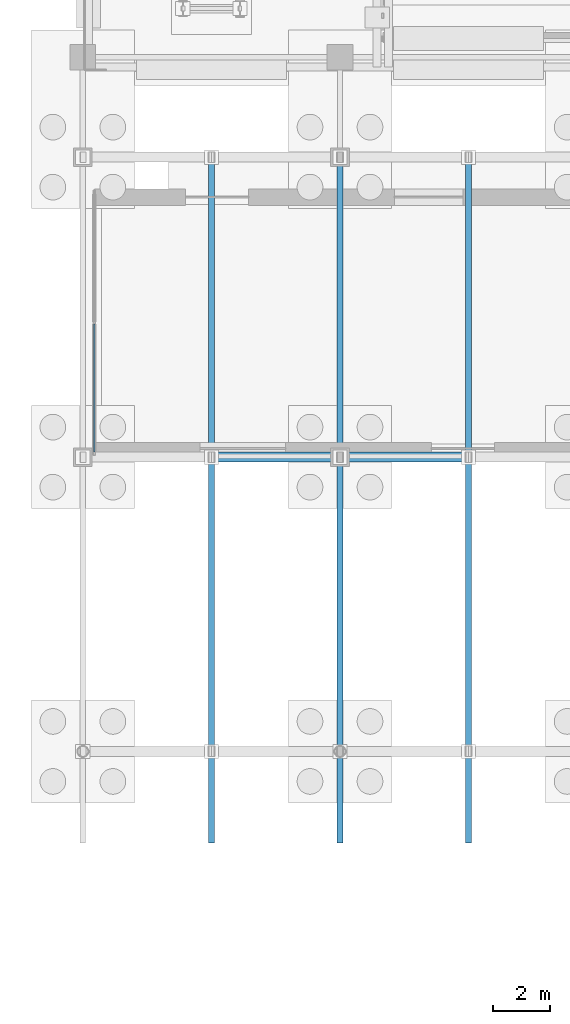
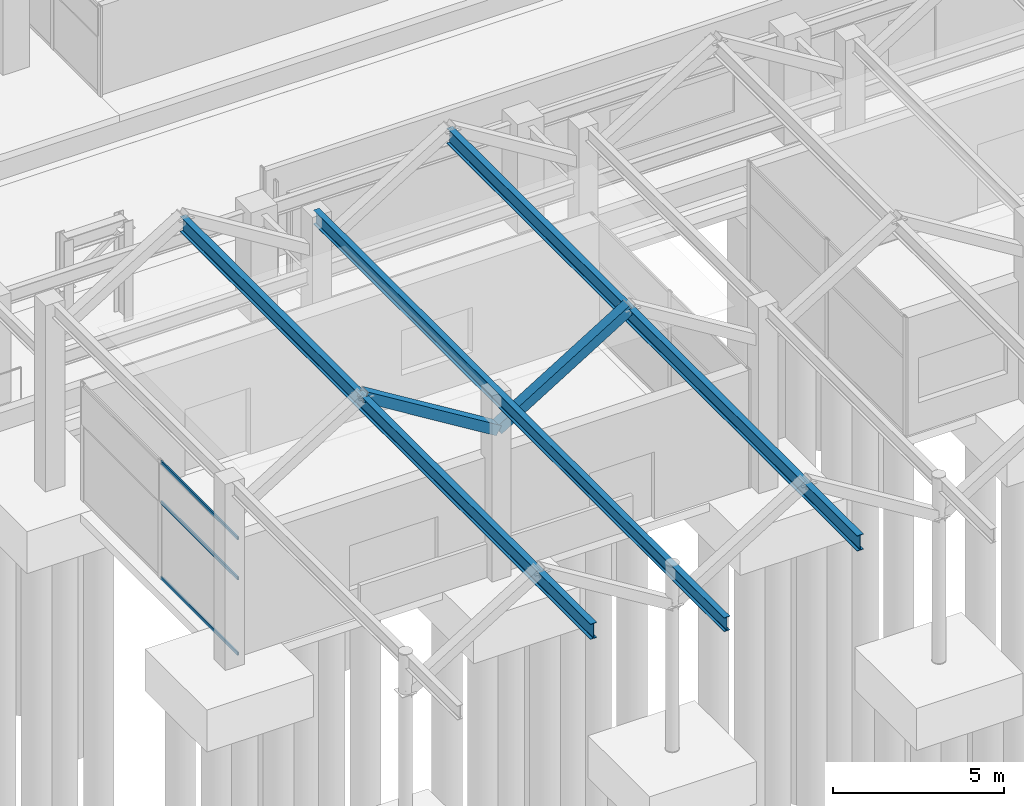
# One storey, part 41 of 160: 5 members, 3 beams, 1 element without a shape of its own.
"""IFC4 building model written with IfcOpenShell, lengths in metres."""

import ifcopenshell
import ifcopenshell.guid

model = None  # the IFC model being written
_history = None  # IfcOwnerHistory: only IFC2X3 demands one
_inside = {}  # id of a spatial element -> (the spatial element, [elements in it])
_under = {}  # id of a project, library or spatial element -> (it, [spatial elements below it])
_declared = {}  # id of a project -> (the project, [libraries it declares])
_typed = {}  # id of a type object -> (the type object, [elements of that type])
_made_of = {}  # id of a material, layer set ... -> (it, [elements and type objects made of it])


def new_model(schema):
    """Start an empty IFC model of exactly this schema.

    Asked for "IFC4X3", IfcOpenShell would pick the latest addendum, in which some entities
    have other attributes; the version numbers below select the first issue.
    IFC2X3 requires an IfcOwnerHistory on every rooted entity: one is made here for all.
    """
    global model, _history
    if schema == "IFC4X3":
        model = ifcopenshell.file(schema_version=(4, 3, 0, 0))
    else:
        model = ifcopenshell.file(schema=schema)
    _inside.clear()
    _under.clear()
    _declared.clear()
    _typed.clear()
    _made_of.clear()
    _history = None
    if model.schema == "IFC2X3":
        org = make("IfcOrganization", Name="unknown")
        user = make(
            "IfcPersonAndOrganization",
            ThePerson=make("IfcPerson", FamilyName="unknown"),
            TheOrganization=org,
        )
        app = make(
            "IfcApplication",
            ApplicationDeveloper=org,
            Version="unknown",
            ApplicationFullName="unknown",
            ApplicationIdentifier="unknown",
        )
        _history = make(
            "IfcOwnerHistory",
            OwningUser=user,
            OwningApplication=app,
            ChangeAction="ADDED",
            CreationDate=0,
        )
    return model


def make(cls, **values):
    """One entity of the class cls with the attributes given. An attribute that is None is left unset."""
    return model.create_entity(
        cls, **{name: value for name, value in values.items() if value is not None}
    )


def rooted(cls, **values):
    """An entity with a GlobalId (a new one), such as an element, a storey or a relation."""
    return make(cls, GlobalId=ifcopenshell.guid.new(), OwnerHistory=_history, **values)


def si_unit(unit_type, name, prefix=None):
    """IfcSIUnit, for example si_unit("LENGTHUNIT", "METRE", prefix="MILLI")."""
    return make("IfcSIUnit", UnitType=unit_type, Prefix=prefix, Name=name)


def assignment(units):
    """IfcUnitAssignment: the units of a project."""
    return None if units is None else make("IfcUnitAssignment", Units=units)


def point(xyz):
    """IfcCartesianPoint."""
    return None if xyz is None else make("IfcCartesianPoint", Coordinates=xyz)


def direction(xyz):
    """IfcDirection."""
    return None if xyz is None else make("IfcDirection", DirectionRatios=xyz)


def frame(location, z_axis=None, x_axis=None):
    """IfcAxis2Placement3D, a coordinate frame: its origin and axes. An axis left out is left unset."""
    return make(
        "IfcAxis2Placement3D",
        Location=point(location),
        Axis=direction(z_axis),
        RefDirection=direction(x_axis),
    )


def frame_2d(location, x_axis=None):
    """IfcAxis2Placement2D, a coordinate frame in the plane: its origin and x axis."""
    return make(
        "IfcAxis2Placement2D", Location=point(location), RefDirection=direction(x_axis)
    )


def origin():
    """The frame at (0, 0, 0) with its axes left unset."""
    return frame((0.0, 0.0, 0.0))


def origin_2d():
    """The frame at (0, 0) in the plane with its x axis left unset."""
    return frame_2d((0.0, 0.0))


def place(relative_to, where):
    """IfcLocalPlacement: puts the frame where relative to a parent placement (None: the world)."""
    return make(
        "IfcLocalPlacement", PlacementRelTo=relative_to, RelativePlacement=where
    )


def context(
    kind, dimensions, precision=None, world=None, true_north=None, identifier=None
):
    """IfcGeometricRepresentationContext, for example the 3D "Model" context."""
    return make(
        "IfcGeometricRepresentationContext",
        ContextIdentifier=identifier,
        ContextType=kind,
        CoordinateSpaceDimension=dimensions,
        Precision=precision,
        WorldCoordinateSystem=world,
        TrueNorth=true_north,
    )


def subcontext(parent, identifier, kind, view, scale=None):
    """IfcGeometricRepresentationSubContext, for example "Body" below "Model"."""
    return make(
        "IfcGeometricRepresentationSubContext",
        ContextIdentifier=identifier,
        ContextType=kind,
        ParentContext=parent,
        TargetScale=scale,
        TargetView=view,
    )


def project(units=None, contexts=None):
    """IfcProject with its units and contexts."""
    return rooted(
        "IfcProject",
        Name="project",
        RepresentationContexts=contexts,
        UnitsInContext=assignment(units),
    )


def spatial(cls, under=None, at=None, **own):
    """A site, building, storey or space (cls), placed at a placement, below another one or the project."""
    s = rooted(cls, ObjectPlacement=at, **own)
    if under is not None:
        _under.setdefault(under.id(), (under, []))[1].append(s)
    return s


def profile(cls, at=None, kind="AREA", **sizes):
    """A parametric profile (cls). Its sizes go by their IFC names, for example OverallWidth=200.0."""
    return make(cls, ProfileType=kind, Position=at, **sizes)


def hollow_rectangle(**sizes):
    """IfcRectangleHollowProfileDef."""
    return profile("IfcRectangleHollowProfileDef", **sizes)


def i_section(**sizes):
    """IfcIShapeProfileDef."""
    return profile("IfcIShapeProfileDef", **sizes)


def extrude(swept, where, along, depth):
    """IfcExtrudedAreaSolid: the profile swept, set in the frame where, extruded along a direction by depth."""
    return make(
        "IfcExtrudedAreaSolid",
        SweptArea=swept,
        Position=where,
        ExtrudedDirection=direction(along),
        Depth=depth,
    )


def shape(context_of_items, identifier, shape_type, items):
    """IfcShapeRepresentation: the items that make up one representation, for example the "Body"."""
    return make(
        "IfcShapeRepresentation",
        ContextOfItems=context_of_items,
        RepresentationIdentifier=identifier,
        RepresentationType=shape_type,
        Items=items,
    )


def material(Name=None, Category=None):
    """IfcMaterial."""
    return make("IfcMaterial", Name=Name, Category=Category)


def layer(
    of_material, thickness, ventilated=None, Name=None, Category=None, Priority=None
):
    """IfcMaterialLayer: one layer of a wall or slab, of a material (None: an air gap)."""
    return make(
        "IfcMaterialLayer",
        Material=of_material,
        LayerThickness=thickness,
        IsVentilated=ventilated,
        Name=Name,
        Category=Category,
        Priority=Priority,
    )


def layer_set(layers, Name=None):
    """IfcMaterialLayerSet."""
    return make("IfcMaterialLayerSet", MaterialLayers=layers, LayerSetName=Name)


def material_profile(
    of_material, cross_section, Name=None, Category=None, Priority=None
):
    """IfcMaterialProfile: a cross section and its material."""
    return make(
        "IfcMaterialProfile",
        Name=Name,
        Material=of_material,
        Profile=cross_section,
        Priority=Priority,
        Category=Category,
    )


def profile_set(profiles, Name=None, composite=None):
    """IfcMaterialProfileSet."""
    return make(
        "IfcMaterialProfileSet",
        Name=Name,
        MaterialProfiles=profiles,
        CompositeProfile=composite,
    )


def made_of(thing, what):
    """Note that an element or type object is made of a material, layer set ...; save() writes the relation."""
    if what is not None:
        _made_of.setdefault(what.id(), (what, []))[1].append(thing)
    return thing


def type_object(cls, material=None, **own):
    """A type object (cls), such as IfcWallType, which elements share."""
    return made_of(rooted(cls, **own), material)


def element(
    cls,
    number,
    at=None,
    inside=None,
    cuts=None,
    type_object=None,
    material=None,
    context=None,
    identifier="Body",
    shape_type=None,
    held_by="IfcProductDefinitionShape",
    body=None,
    shapes=None,
    **own,
):
    """One element of the class cls, such as IfcWall. Its Tag is "e" and its number.

    at: its placement. inside: the storey or other place that contains it. cuts: it is an
    opening in that element (IfcRelVoidsElement). A single representation is given by context,
    identifier, shape_type and body (its items); several are given by shapes. held_by: the class
    of the entity that holds the representations. save() writes the other relations.
    """
    e = rooted(cls, Tag="e%d" % number, ObjectPlacement=at, **own)
    if body is not None:
        shapes = [shape(context, identifier, shape_type, body)]
    if shapes is not None:
        e.Representation = make(held_by, Representations=shapes)
    if inside is not None:
        _inside.setdefault(inside.id(), (inside, []))[1].append(e)
    if cuts is not None:
        rooted(
            "IfcRelVoidsElement", RelatingBuildingElement=cuts, RelatedOpeningElement=e
        )
    if type_object is not None:
        _typed.setdefault(type_object.id(), (type_object, []))[1].append(e)
    return made_of(e, material)


def aggregate(whole, parts):
    """IfcRelAggregates: a whole, such as a stair, and the parts it consists of."""
    return rooted("IfcRelAggregates", RelatingObject=whole, RelatedObjects=parts)


def save(model, path):
    """Write the relations noted so far, then the file.

    IfcRelAggregates (storeys below a building ...), IfcRelContainedInSpatialStructure (elements
    in a storey), IfcRelDefinesByType, IfcRelAssociatesMaterial and IfcRelDeclares: one each for
    every whole, place, type object, material and project.
    """
    for whole, parts in _under.values():
        aggregate(whole, parts)
    for where, things in _inside.values():
        rooted(
            "IfcRelContainedInSpatialStructure",
            RelatedElements=things,
            RelatingStructure=where,
        )
    for kind, things in _typed.values():
        rooted("IfcRelDefinesByType", RelatedObjects=things, RelatingType=kind)
    for what, things in _made_of.values():
        rooted("IfcRelAssociatesMaterial", RelatedObjects=things, RelatingMaterial=what)
    for by, libraries in _declared.values():
        rooted("IfcRelDeclares", RelatingContext=by, RelatedDefinitions=libraries)
    model.write(path)


model = new_model("IFC4")

# Units and contexts
model_context = context("Model", 3, precision=1e-05, world=origin(), true_north=direction((0.0, 1.0)))
body_context = subcontext(model_context, "Body", "Model", "MODEL_VIEW")
ifc_project = project(units=[si_unit("LENGTHUNIT", "METRE"), si_unit("AREAUNIT", "SQUARE_METRE"), si_unit("VOLUMEUNIT", "CUBIC_METRE"), si_unit("PLANEANGLEUNIT", "RADIAN"), si_unit("MASSUNIT", "GRAM", prefix="KILO")], contexts=[model_context])

# Site, building, storey
site_placement = place(None, origin())
site = spatial("IfcSite", under=ifc_project, at=site_placement, CompositionType="ELEMENT")
building_placement = place(site_placement, origin())
building = spatial("IfcBuilding", under=site, at=building_placement, Name="Marlcrest Central Station", CompositionType="ELEMENT")
storey_placement = place(building_placement, origin())
storey = spatial("IfcBuildingStorey", under=building, at=storey_placement, Name="L00", CompositionType="ELEMENT", Elevation=0.0)

# Beams
ifc_material_1 = material(Name="Steel S355", Category="steel")
ifc_material_profile_1 = material_profile(ifc_material_1, i_section(OverallWidth=0.199951171875, OverallDepth=0.5, WebThickness=0.01025390625, FlangeThickness=0.01611328125, FilletRadius=0.02099609375, at=origin_2d()), Name="IPE 500")
ifc_profile_set_1 = profile_set([ifc_material_profile_1], Name="Steel S355")
beam_type_1 = type_object("IfcBeamType", Name="BM-05", PredefinedType="BEAM", material=ifc_profile_set_1)
beam_placement = place(storey_placement, frame((9.0, 9.0, 6.389892578125), z_axis=(0.0, 1.0, 0.0), x_axis=(-1.0, 0.0, 0.0)))
element("IfcBeam", 1, at=beam_placement, inside=storey, type_object=beam_type_1, Name="bm-BM-05-L00-01040", PredefinedType="BEAM", context=body_context, shape_type="SweptSolid", body=[
    extrude(i_section(OverallWidth=0.199951171875, OverallDepth=0.5, WebThickness=0.01025390625, FlangeThickness=0.01611328125, FilletRadius=0.02099609375, at=origin_2d()), origin(), (0.0, 0.0, 1.0), 24.0),
])
ifc_material_profile_2 = material_profile(ifc_material_1, i_section(OverallWidth=0.2099609375, OverallDepth=0.550048828125, WebThickness=0.010986328125, FlangeThickness=0.01708984375, FilletRadius=0.02392578125, at=origin_2d()), Name="IPE 550")
ifc_profile_set_2 = profile_set([ifc_material_profile_2], Name="Steel S355")
beam_type_2 = type_object("IfcBeamType", Name="BM-06", PredefinedType="BEAM", material=ifc_profile_set_2)
for number, where, z_axis, x_axis, name in (
    (2, (4.5, 9.0, 7.715087890625), (0.0, 1.0, 0.0), (-1.0, 0.0, 0.0), "bm-BM-06-L00-01039"),
    (3, (13.5, 9.0, 7.715087890625), (0.0, 1.0, 0.0), (-1.0, 0.0, 0.0), "bm-BM-06-L00-01041"),
):
    element("IfcBeam", number, at=place(storey_placement, frame(where, z_axis=z_axis, x_axis=x_axis)), inside=storey, type_object=beam_type_2, Name=name, PredefinedType="BEAM", context=body_context, shape_type="SweptSolid", body=[
        extrude(i_section(OverallWidth=0.2099609375, OverallDepth=0.550048828125, WebThickness=0.010986328125, FlangeThickness=0.01708984375, FilletRadius=0.02392578125, at=origin_2d()), origin(), (0.0, 0.0, 1.0), 24.0),
    ])

# Members
ifc_material_profile_3 = material_profile(ifc_material_1, hollow_rectangle(XDim=0.35009765625, YDim=0.35009765625, WallThickness=0.01611328125, at=origin_2d()), Name="SHS 350x350x16")
ifc_profile_set_3 = profile_set([ifc_material_profile_3], Name="Steel S355")
member_type_1 = type_object("IfcMemberType", Name="ST-02", PredefinedType="STRUT", material=ifc_profile_set_3)
for number, where, z_axis, x_axis, name in (
    (4, (9.0, 22.5, 5.199951171875), (-0.851591684043, 0.0, 0.524205688322), (0.0, -1.0, 0.0), "mem-ST-02-L00-00022"),
    (5, (9.0, 22.5, 5.199951171875), (0.851591684043, 0.0, 0.524205688322), (0.0, 1.0, 0.0), "mem-ST-02-L00-00027"),
):
    element("IfcMember", number, at=place(storey_placement, frame(where, z_axis=z_axis, x_axis=x_axis)), inside=storey, type_object=member_type_1, Name=name, PredefinedType="STRUT", context=body_context, shape_type="SweptSolid", body=[
        extrude(hollow_rectangle(XDim=0.35009765625, YDim=0.35009765625, WallThickness=0.01611328125, at=origin_2d()), origin(), (0.0, 0.0, 1.0), 5.2841796875),
    ])

# Curtain wall, members
ifc_material_2 = material(Name="Anodised aluminium and hurricane laminated glass", Category="aluminium")
ifc_layer = layer(ifc_material_2, 0.179931640625, Name="CW-S1")
ifc_layer_set = layer_set([ifc_layer], Name="Anodised aluminium and hurricane laminated glass")
curtain_wall_type = type_object("IfcCurtainWallType", Name="CW-S1", PredefinedType="USERDEFINED", material=ifc_layer_set)
curtain_wall_placement = place(storey_placement, origin())
curtain_wall = element("IfcCurtainWall", 6, at=curtain_wall_placement, inside=storey, type_object=curtain_wall_type, Name="cw-L00-0143", ObjectType="STICK_CURTAIN_WALL", PredefinedType="USERDEFINED")
ifc_material_3 = material(Name="Anodised aluminium 6063-T6", Category="aluminium")
ifc_material_profile_4 = material_profile(ifc_material_3, hollow_rectangle(XDim=0.050048828125, YDim=0.1201171875, WallThickness=0.00390625, at=origin_2d()), Name="AA-RHS 120x50x4")
ifc_profile_set_4 = profile_set([ifc_material_profile_4], Name="Anodised aluminium 6063-T6")
member_type_2 = type_object("IfcMemberType", Name="TR-02", PredefinedType="USERDEFINED", material=ifc_profile_set_4)
member_1_placement = place(storey_placement, frame((0.39990234375, 22.68310546875, 0.0400390625), z_axis=(0.0, 1.0, 0.0), x_axis=(-1.0, 0.0, 0.0)))
member_1 = element("IfcMember", 7, at=member_1_placement, type_object=member_type_2, Name="cw-L00-0143-tr-0-sill", ObjectType="TRANSOM", PredefinedType="USERDEFINED", context=body_context, shape_type="SweptSolid", body=[
    extrude(hollow_rectangle(XDim=0.050048828125, YDim=0.1201171875, WallThickness=0.00390625, at=origin_2d()), origin(), (0.0, 0.0, 1.0), 4.48388671875),
])
member_2_placement = place(storey_placement, frame((0.39990234375, 22.68310546875, 2.72998046875), z_axis=(0.0, 1.0, 0.0), x_axis=(-1.0, 0.0, 0.0)))
member_2 = element("IfcMember", 8, at=member_2_placement, type_object=member_type_2, Name="cw-L00-0143-tr-0-mid", ObjectType="TRANSOM", PredefinedType="USERDEFINED", context=body_context, shape_type="SweptSolid", body=[
    extrude(hollow_rectangle(XDim=0.050048828125, YDim=0.1201171875, WallThickness=0.00390625, at=origin_2d()), origin(), (0.0, 0.0, 1.0), 4.48388671875),
])
member_3_placement = place(storey_placement, frame((0.39990234375, 22.68310546875, 4.159912109375), z_axis=(0.0, 1.0, 0.0), x_axis=(-1.0, 0.0, 0.0)))
member_3 = element("IfcMember", 9, at=member_3_placement, type_object=member_type_2, Name="cw-L00-0143-tr-0-head", ObjectType="TRANSOM", PredefinedType="USERDEFINED", context=body_context, shape_type="SweptSolid", body=[
    extrude(hollow_rectangle(XDim=0.050048828125, YDim=0.1201171875, WallThickness=0.00390625, at=origin_2d()), origin(), (0.0, 0.0, 1.0), 4.48388671875),
])
aggregate(curtain_wall, [member_1, member_2, member_3])

save(model, "model.ifc")
